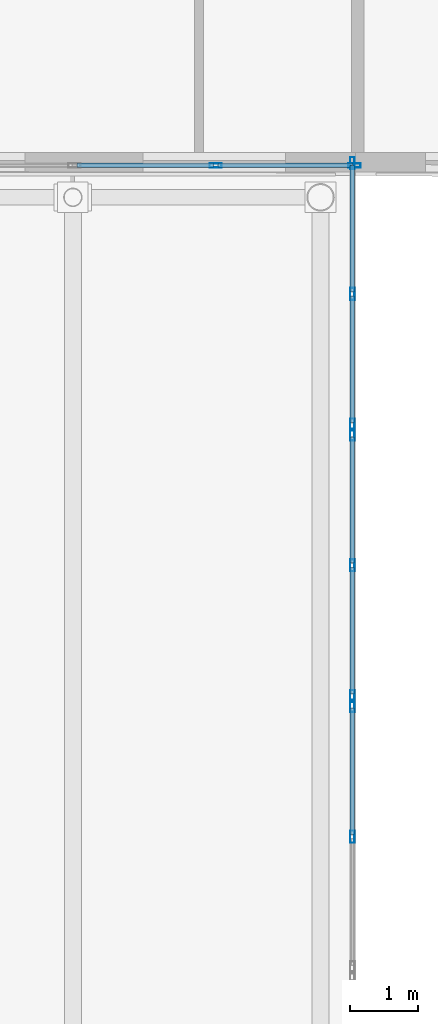
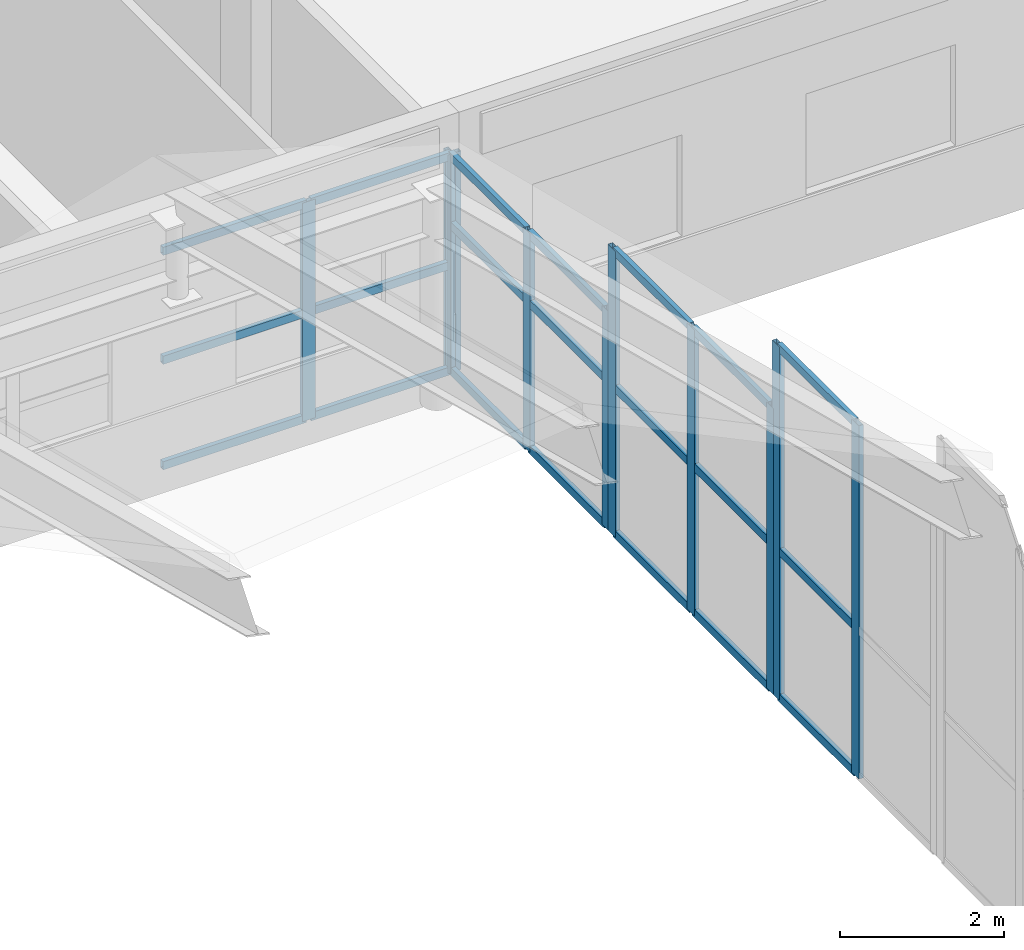
# One storey, part 104 of 184: 31 members, 4 elements without a shape of their own.
"""IFC4 building model written with IfcOpenShell, lengths in metres."""

from ifc_helpers import new_model, si_unit, direction, frame, origin, origin_2d, place, context, subcontext, project, spatial, hollow_rectangle, extrude, material, material_profile, profile_set, type_object, element, aggregate, save


model = new_model("IFC4")

# Units and contexts
model_context = context("Model", 3, precision=1e-05, world=origin(), true_north=direction((0.0, 1.0)))
body_context = subcontext(model_context, "Body", "Model", "MODEL_VIEW")
ifc_project = project(units=[si_unit("LENGTHUNIT", "METRE"), si_unit("AREAUNIT", "SQUARE_METRE"), si_unit("VOLUMEUNIT", "CUBIC_METRE"), si_unit("PLANEANGLEUNIT", "RADIAN"), si_unit("MASSUNIT", "GRAM", prefix="KILO")], contexts=[model_context])

# Site, building, storey
site_placement = place(None, origin())
site = spatial("IfcSite", under=ifc_project, at=site_placement, CompositionType="ELEMENT")
building_placement = place(site_placement, origin())
building = spatial("IfcBuilding", under=site, at=building_placement, Name="Selatvlak General Hospital", CompositionType="ELEMENT")
storey_placement = place(building_placement, frame((0.0, 0.0, 15.0)))
storey = spatial("IfcBuildingStorey", under=building, at=storey_placement, Name="L03", CompositionType="ELEMENT", Elevation=15.0)

# Curtain wall, members
ifc_material_1 = material(Name="Solar-control Low-E double glazing", Category="glass")
curtain_wall_type_1 = type_object("IfcCurtainWallType", Name="CW-CW-04", PredefinedType="USERDEFINED", material=ifc_material_1)
curtain_wall_1_placement = place(storey_placement, origin())
curtain_wall_1 = element("IfcCurtainWall", 1, at=curtain_wall_1_placement, inside=storey, type_object=curtain_wall_type_1, Name="Glazed facade curtain wall CW-L03-0722", ObjectType="STICK GLAZING WALL", PredefinedType="USERDEFINED")
ifc_material_2 = material(Name="Dark anodised aluminium mullion", Category="aluminium")
ifc_material_profile_1 = material_profile(ifc_material_2, hollow_rectangle(XDim=0.06494140625, YDim=0.179931640625, WallThickness=0.00439453125, at=origin_2d()), Name="AL-MUL 65x180x4.5")
ifc_profile_set_1 = profile_set([ifc_material_profile_1], Name="Dark anodised aluminium mullion")
member_type_1 = type_object("IfcMemberType", Name="CWM-02", PredefinedType="MULLION", material=ifc_profile_set_1)
member_1_placement = place(storey_placement, frame((79.5048828125, 83.919921875, 0.0), z_axis=(0.0, 0.0, 1.0), x_axis=(0.0, 1.0, 0.0)))
member_1 = element("IfcMember", 2, at=member_1_placement, type_object=member_type_1, Name="CW-04 mullion 4", PredefinedType="MULLION", context=body_context, shape_type="SweptSolid", body=[
    extrude(hollow_rectangle(XDim=0.06494140625, YDim=0.179931640625, WallThickness=0.00439453125, at=origin_2d()), origin(), (0.0, 0.0, 1.0), 3.25),
])
member_2_placement = place(storey_placement, frame((81.552490234375, 83.919921875, 0.0), z_axis=(0.0, 0.0, 1.0), x_axis=(0.0, 1.0, 0.0)))
member_2 = element("IfcMember", 3, at=member_2_placement, type_object=member_type_1, Name="CW-04 mullion 5", PredefinedType="MULLION", context=body_context, shape_type="SweptSolid", body=[
    extrude(hollow_rectangle(XDim=0.06494140625, YDim=0.179931640625, WallThickness=0.00439453125, at=origin_2d()), origin(), (0.0, 0.0, 1.0), 3.25),
])

curtain_wall_type_2 = type_object("IfcCurtainWallType", Name="CW-CW-05", PredefinedType="USERDEFINED", material=ifc_material_1)
curtain_wall_2_placement = place(storey_placement, origin())
curtain_wall_2 = element("IfcCurtainWall", 4, at=curtain_wall_2_placement, inside=storey, type_object=curtain_wall_type_2, Name="Glazed facade curtain wall CW-L03-0734", ObjectType="STICK GLAZING WALL", PredefinedType="USERDEFINED")
member_3_placement = place(storey_placement, frame((81.52001953125, 74.02490234375, 0.0), z_axis=(0.0, 0.0, 1.0), x_axis=(-1.0, 0.0, 0.0)))
member_3 = element("IfcMember", 5, at=member_3_placement, type_object=member_type_1, Name="CW-05 mullion 2", PredefinedType="MULLION", context=body_context, shape_type="SweptSolid", body=[
    extrude(hollow_rectangle(XDim=0.06494140625, YDim=0.179931640625, WallThickness=0.00439453125, at=origin_2d()), origin(), (0.0, 0.0, 1.0), 5.25),
])
member_4_placement = place(storey_placement, frame((81.52001953125, 75.952392578125, 0.0), z_axis=(0.0, 0.0, 1.0), x_axis=(-1.0, 0.0, 0.0)))
member_4 = element("IfcMember", 6, at=member_4_placement, type_object=member_type_1, Name="CW-05 mullion 3", PredefinedType="MULLION", context=body_context, shape_type="SweptSolid", body=[
    extrude(hollow_rectangle(XDim=0.06494140625, YDim=0.179931640625, WallThickness=0.00439453125, at=origin_2d()), origin(), (0.0, 0.0, 1.0), 5.25),
])

curtain_wall_3_placement = place(storey_placement, origin())
curtain_wall_3 = element("IfcCurtainWall", 7, at=curtain_wall_3_placement, inside=storey, type_object=curtain_wall_type_2, Name="Glazed facade curtain wall CW-L03-0735", ObjectType="STICK GLAZING WALL", PredefinedType="USERDEFINED")
member_5_placement = place(storey_placement, frame((81.52001953125, 76.097412109375, 0.0), z_axis=(0.0, 0.0, 1.0), x_axis=(-1.0, 0.0, 0.0)))
member_5 = element("IfcMember", 8, at=member_5_placement, type_object=member_type_1, Name="CW-05 mullion 1", PredefinedType="MULLION", context=body_context, shape_type="SweptSolid", body=[
    extrude(hollow_rectangle(XDim=0.06494140625, YDim=0.179931640625, WallThickness=0.00439453125, at=origin_2d()), origin(), (0.0, 0.0, 1.0), 4.25),
])
member_6_placement = place(storey_placement, frame((81.52001953125, 78.02490234375, 0.0), z_axis=(0.0, 0.0, 1.0), x_axis=(-1.0, 0.0, 0.0)))
member_6 = element("IfcMember", 9, at=member_6_placement, type_object=member_type_1, Name="CW-05 mullion 2", PredefinedType="MULLION", context=body_context, shape_type="SweptSolid", body=[
    extrude(hollow_rectangle(XDim=0.06494140625, YDim=0.179931640625, WallThickness=0.00439453125, at=origin_2d()), origin(), (0.0, 0.0, 1.0), 4.25),
])
member_7_placement = place(storey_placement, frame((81.52001953125, 79.952392578125, 0.0), z_axis=(0.0, 0.0, 1.0), x_axis=(-1.0, 0.0, 0.0)))
member_7 = element("IfcMember", 10, at=member_7_placement, type_object=member_type_1, Name="CW-05 mullion 3", PredefinedType="MULLION", context=body_context, shape_type="SweptSolid", body=[
    extrude(hollow_rectangle(XDim=0.06494140625, YDim=0.179931640625, WallThickness=0.00439453125, at=origin_2d()), origin(), (0.0, 0.0, 1.0), 4.25),
])

curtain_wall_4_placement = place(storey_placement, origin())
curtain_wall_4 = element("IfcCurtainWall", 11, at=curtain_wall_4_placement, inside=storey, type_object=curtain_wall_type_2, Name="Glazed facade curtain wall CW-L03-0736", ObjectType="STICK GLAZING WALL", PredefinedType="USERDEFINED")
member_8_placement = place(storey_placement, frame((81.52001953125, 80.097412109375, 0.0), z_axis=(0.0, 0.0, 1.0), x_axis=(-1.0, 0.0, 0.0)))
member_8 = element("IfcMember", 12, at=member_8_placement, type_object=member_type_1, Name="CW-05 mullion 1", PredefinedType="MULLION", context=body_context, shape_type="SweptSolid", body=[
    extrude(hollow_rectangle(XDim=0.06494140625, YDim=0.179931640625, WallThickness=0.00439453125, at=origin_2d()), origin(), (0.0, 0.0, 1.0), 3.25),
])
member_9_placement = place(storey_placement, frame((81.52001953125, 82.02490234375, 0.0), z_axis=(0.0, 0.0, 1.0), x_axis=(-1.0, 0.0, 0.0)))
member_9 = element("IfcMember", 13, at=member_9_placement, type_object=member_type_1, Name="CW-05 mullion 2", PredefinedType="MULLION", context=body_context, shape_type="SweptSolid", body=[
    extrude(hollow_rectangle(XDim=0.06494140625, YDim=0.179931640625, WallThickness=0.00439453125, at=origin_2d()), origin(), (0.0, 0.0, 1.0), 3.25),
])
member_10_placement = place(storey_placement, frame((81.52001953125, 83.952392578125, 0.0), z_axis=(0.0, 0.0, 1.0), x_axis=(-1.0, 0.0, 0.0)))
member_10 = element("IfcMember", 14, at=member_10_placement, type_object=member_type_1, Name="CW-05 mullion 3", PredefinedType="MULLION", context=body_context, shape_type="SweptSolid", body=[
    extrude(hollow_rectangle(XDim=0.06494140625, YDim=0.179931640625, WallThickness=0.00439453125, at=origin_2d()), origin(), (0.0, 0.0, 1.0), 3.25),
])

# Member
ifc_material_profile_2 = material_profile(ifc_material_2, hollow_rectangle(XDim=0.06494140625, YDim=0.1201171875, WallThickness=0.00390625, at=origin_2d()), Name="AL-TRN 65x120x4")
ifc_profile_set_2 = profile_set([ifc_material_profile_2], Name="Dark anodised aluminium mullion")
member_type_2 = type_object("IfcMemberType", Name="CWT-01", PredefinedType="USERDEFINED", material=ifc_profile_set_2)
member_11_placement = place(storey_placement, frame((77.45751953125, 83.919921875, 0.032470703125), z_axis=(1.0, 0.0, 0.0), x_axis=(0.0, 1.0, 0.0)))
member_11 = element("IfcMember", 15, at=member_11_placement, type_object=member_type_2, Name="CW-04 transom 3.1", ObjectType="TRANSOM", PredefinedType="USERDEFINED", context=body_context, shape_type="SweptSolid", body=[
    extrude(hollow_rectangle(XDim=0.06494140625, YDim=0.1201171875, WallThickness=0.00390625, at=origin_2d()), origin(), (0.0, 0.0, 1.0), 2.014892578125),
])

member_12_placement = place(storey_placement, frame((77.45751953125, 83.919921875, 1.60009765625), z_axis=(1.0, 0.0, 0.0), x_axis=(0.0, 1.0, 0.0)))
member_12 = element("IfcMember", 16, at=member_12_placement, type_object=member_type_2, Name="CW-04 transom 3.2", ObjectType="TRANSOM", PredefinedType="USERDEFINED", context=body_context, shape_type="SweptSolid", body=[
    extrude(hollow_rectangle(XDim=0.06494140625, YDim=0.1201171875, WallThickness=0.00390625, at=origin_2d()), origin(), (0.0, 0.0, 1.0), 2.014892578125),
])

member_13_placement = place(storey_placement, frame((77.45751953125, 83.919921875, 3.217529296875), z_axis=(1.0, 0.0, 0.0), x_axis=(0.0, 1.0, 0.0)))
member_13 = element("IfcMember", 17, at=member_13_placement, type_object=member_type_2, Name="CW-04 transom 3.3", ObjectType="TRANSOM", PredefinedType="USERDEFINED", context=body_context, shape_type="SweptSolid", body=[
    extrude(hollow_rectangle(XDim=0.06494140625, YDim=0.1201171875, WallThickness=0.00390625, at=origin_2d()), origin(), (0.0, 0.0, 1.0), 2.014892578125),
])

member_14_placement = place(storey_placement, frame((79.53759765625, 83.919921875, 0.032470703125), z_axis=(1.0, 0.0, 0.0), x_axis=(0.0, 1.0, 0.0)))
member_14 = element("IfcMember", 18, at=member_14_placement, type_object=member_type_2, Name="CW-04 transom 4.1", ObjectType="TRANSOM", PredefinedType="USERDEFINED", context=body_context, shape_type="SweptSolid", body=[
    extrude(hollow_rectangle(XDim=0.06494140625, YDim=0.1201171875, WallThickness=0.00390625, at=origin_2d()), origin(), (0.0, 0.0, 1.0), 1.982421875),
])

member_15_placement = place(storey_placement, frame((79.53759765625, 83.919921875, 1.60009765625), z_axis=(1.0, 0.0, 0.0), x_axis=(0.0, 1.0, 0.0)))
member_15 = element("IfcMember", 19, at=member_15_placement, type_object=member_type_2, Name="CW-04 transom 4.2", ObjectType="TRANSOM", PredefinedType="USERDEFINED", context=body_context, shape_type="SweptSolid", body=[
    extrude(hollow_rectangle(XDim=0.06494140625, YDim=0.1201171875, WallThickness=0.00390625, at=origin_2d()), origin(), (0.0, 0.0, 1.0), 1.982421875),
])

member_16_placement = place(storey_placement, frame((79.53759765625, 83.919921875, 3.217529296875), z_axis=(1.0, 0.0, 0.0), x_axis=(0.0, 1.0, 0.0)))
member_16 = element("IfcMember", 20, at=member_16_placement, type_object=member_type_2, Name="CW-04 transom 4.3", ObjectType="TRANSOM", PredefinedType="USERDEFINED", context=body_context, shape_type="SweptSolid", body=[
    extrude(hollow_rectangle(XDim=0.06494140625, YDim=0.1201171875, WallThickness=0.00390625, at=origin_2d()), origin(), (0.0, 0.0, 1.0), 1.982421875),
])

aggregate(curtain_wall_1, [member_1, member_2, member_11, member_12, member_13, member_14, member_15, member_16])

member_17_placement = place(storey_placement, frame((81.52001953125, 74.0576171875, 0.032470703125), z_axis=(0.0, 1.0, 0.0), x_axis=(-1.0, 0.0, 0.0)))
member_17 = element("IfcMember", 21, at=member_17_placement, type_object=member_type_2, Name="CW-05 transom 2.1", ObjectType="TRANSOM", PredefinedType="USERDEFINED", context=body_context, shape_type="SweptSolid", body=[
    extrude(hollow_rectangle(XDim=0.06494140625, YDim=0.1201171875, WallThickness=0.00390625, at=origin_2d()), origin(), (0.0, 0.0, 1.0), 1.8623046875),
])

member_18_placement = place(storey_placement, frame((81.52001953125, 74.0576171875, 2.199951171875), z_axis=(0.0, 1.0, 0.0), x_axis=(-1.0, 0.0, 0.0)))
member_18 = element("IfcMember", 22, at=member_18_placement, type_object=member_type_2, Name="CW-05 transom 2.2", ObjectType="TRANSOM", PredefinedType="USERDEFINED", context=body_context, shape_type="SweptSolid", body=[
    extrude(hollow_rectangle(XDim=0.06494140625, YDim=0.1201171875, WallThickness=0.00390625, at=origin_2d()), origin(), (0.0, 0.0, 1.0), 1.8623046875),
])

member_19_placement = place(storey_placement, frame((81.52001953125, 74.0576171875, 5.217529296875), z_axis=(0.0, 1.0, 0.0), x_axis=(-1.0, 0.0, 0.0)))
member_19 = element("IfcMember", 23, at=member_19_placement, type_object=member_type_2, Name="CW-05 transom 2.3", ObjectType="TRANSOM", PredefinedType="USERDEFINED", context=body_context, shape_type="SweptSolid", body=[
    extrude(hollow_rectangle(XDim=0.06494140625, YDim=0.1201171875, WallThickness=0.00390625, at=origin_2d()), origin(), (0.0, 0.0, 1.0), 1.8623046875),
])

aggregate(curtain_wall_2, [member_3, member_4, member_17, member_18, member_19])

member_20_placement = place(storey_placement, frame((81.52001953125, 76.1298828125, 0.032470703125), z_axis=(0.0, 1.0, 0.0), x_axis=(-1.0, 0.0, 0.0)))
member_20 = element("IfcMember", 24, at=member_20_placement, type_object=member_type_2, Name="CW-05 transom 1.1", ObjectType="TRANSOM", PredefinedType="USERDEFINED", context=body_context, shape_type="SweptSolid", body=[
    extrude(hollow_rectangle(XDim=0.06494140625, YDim=0.1201171875, WallThickness=0.00390625, at=origin_2d()), origin(), (0.0, 0.0, 1.0), 1.862548828125),
])

member_21_placement = place(storey_placement, frame((81.52001953125, 76.1298828125, 2.199951171875), z_axis=(0.0, 1.0, 0.0), x_axis=(-1.0, 0.0, 0.0)))
member_21 = element("IfcMember", 25, at=member_21_placement, type_object=member_type_2, Name="CW-05 transom 1.2", ObjectType="TRANSOM", PredefinedType="USERDEFINED", context=body_context, shape_type="SweptSolid", body=[
    extrude(hollow_rectangle(XDim=0.06494140625, YDim=0.1201171875, WallThickness=0.00390625, at=origin_2d()), origin(), (0.0, 0.0, 1.0), 1.862548828125),
])

member_22_placement = place(storey_placement, frame((81.52001953125, 76.1298828125, 4.217529296875), z_axis=(0.0, 1.0, 0.0), x_axis=(-1.0, 0.0, 0.0)))
member_22 = element("IfcMember", 26, at=member_22_placement, type_object=member_type_2, Name="CW-05 transom 1.3", ObjectType="TRANSOM", PredefinedType="USERDEFINED", context=body_context, shape_type="SweptSolid", body=[
    extrude(hollow_rectangle(XDim=0.06494140625, YDim=0.1201171875, WallThickness=0.00390625, at=origin_2d()), origin(), (0.0, 0.0, 1.0), 1.862548828125),
])

member_23_placement = place(storey_placement, frame((81.52001953125, 78.0576171875, 0.032470703125), z_axis=(0.0, 1.0, 0.0), x_axis=(-1.0, 0.0, 0.0)))
member_23 = element("IfcMember", 27, at=member_23_placement, type_object=member_type_2, Name="CW-05 transom 2.1", ObjectType="TRANSOM", PredefinedType="USERDEFINED", context=body_context, shape_type="SweptSolid", body=[
    extrude(hollow_rectangle(XDim=0.06494140625, YDim=0.1201171875, WallThickness=0.00390625, at=origin_2d()), origin(), (0.0, 0.0, 1.0), 1.8623046875),
])

member_24_placement = place(storey_placement, frame((81.52001953125, 78.0576171875, 2.199951171875), z_axis=(0.0, 1.0, 0.0), x_axis=(-1.0, 0.0, 0.0)))
member_24 = element("IfcMember", 28, at=member_24_placement, type_object=member_type_2, Name="CW-05 transom 2.2", ObjectType="TRANSOM", PredefinedType="USERDEFINED", context=body_context, shape_type="SweptSolid", body=[
    extrude(hollow_rectangle(XDim=0.06494140625, YDim=0.1201171875, WallThickness=0.00390625, at=origin_2d()), origin(), (0.0, 0.0, 1.0), 1.8623046875),
])

member_25_placement = place(storey_placement, frame((81.52001953125, 78.0576171875, 4.217529296875), z_axis=(0.0, 1.0, 0.0), x_axis=(-1.0, 0.0, 0.0)))
member_25 = element("IfcMember", 29, at=member_25_placement, type_object=member_type_2, Name="CW-05 transom 2.3", ObjectType="TRANSOM", PredefinedType="USERDEFINED", context=body_context, shape_type="SweptSolid", body=[
    extrude(hollow_rectangle(XDim=0.06494140625, YDim=0.1201171875, WallThickness=0.00390625, at=origin_2d()), origin(), (0.0, 0.0, 1.0), 1.8623046875),
])

aggregate(curtain_wall_3, [member_5, member_6, member_7, member_20, member_21, member_22, member_23, member_24, member_25])

member_26_placement = place(storey_placement, frame((81.52001953125, 80.1298828125, 0.032470703125), z_axis=(0.0, 1.0, 0.0), x_axis=(-1.0, 0.0, 0.0)))
member_26 = element("IfcMember", 30, at=member_26_placement, type_object=member_type_2, Name="CW-05 transom 1.1", ObjectType="TRANSOM", PredefinedType="USERDEFINED", context=body_context, shape_type="SweptSolid", body=[
    extrude(hollow_rectangle(XDim=0.06494140625, YDim=0.1201171875, WallThickness=0.00390625, at=origin_2d()), origin(), (0.0, 0.0, 1.0), 1.862548828125),
])

member_27_placement = place(storey_placement, frame((81.52001953125, 80.1298828125, 2.199951171875), z_axis=(0.0, 1.0, 0.0), x_axis=(-1.0, 0.0, 0.0)))
member_27 = element("IfcMember", 31, at=member_27_placement, type_object=member_type_2, Name="CW-05 transom 1.2", ObjectType="TRANSOM", PredefinedType="USERDEFINED", context=body_context, shape_type="SweptSolid", body=[
    extrude(hollow_rectangle(XDim=0.06494140625, YDim=0.1201171875, WallThickness=0.00390625, at=origin_2d()), origin(), (0.0, 0.0, 1.0), 1.862548828125),
])

member_28_placement = place(storey_placement, frame((81.52001953125, 80.1298828125, 3.217529296875), z_axis=(0.0, 1.0, 0.0), x_axis=(-1.0, 0.0, 0.0)))
member_28 = element("IfcMember", 32, at=member_28_placement, type_object=member_type_2, Name="CW-05 transom 1.3", ObjectType="TRANSOM", PredefinedType="USERDEFINED", context=body_context, shape_type="SweptSolid", body=[
    extrude(hollow_rectangle(XDim=0.06494140625, YDim=0.1201171875, WallThickness=0.00390625, at=origin_2d()), origin(), (0.0, 0.0, 1.0), 1.862548828125),
])

member_29_placement = place(storey_placement, frame((81.52001953125, 82.0576171875, 0.032470703125), z_axis=(0.0, 1.0, 0.0), x_axis=(-1.0, 0.0, 0.0)))
member_29 = element("IfcMember", 33, at=member_29_placement, type_object=member_type_2, Name="CW-05 transom 2.1", ObjectType="TRANSOM", PredefinedType="USERDEFINED", context=body_context, shape_type="SweptSolid", body=[
    extrude(hollow_rectangle(XDim=0.06494140625, YDim=0.1201171875, WallThickness=0.00390625, at=origin_2d()), origin(), (0.0, 0.0, 1.0), 1.8623046875),
])

member_30_placement = place(storey_placement, frame((81.52001953125, 82.0576171875, 2.199951171875), z_axis=(0.0, 1.0, 0.0), x_axis=(-1.0, 0.0, 0.0)))
member_30 = element("IfcMember", 34, at=member_30_placement, type_object=member_type_2, Name="CW-05 transom 2.2", ObjectType="TRANSOM", PredefinedType="USERDEFINED", context=body_context, shape_type="SweptSolid", body=[
    extrude(hollow_rectangle(XDim=0.06494140625, YDim=0.1201171875, WallThickness=0.00390625, at=origin_2d()), origin(), (0.0, 0.0, 1.0), 1.8623046875),
])

member_31_placement = place(storey_placement, frame((81.52001953125, 82.0576171875, 3.217529296875), z_axis=(0.0, 1.0, 0.0), x_axis=(-1.0, 0.0, 0.0)))
member_31 = element("IfcMember", 35, at=member_31_placement, type_object=member_type_2, Name="CW-05 transom 2.3", ObjectType="TRANSOM", PredefinedType="USERDEFINED", context=body_context, shape_type="SweptSolid", body=[
    extrude(hollow_rectangle(XDim=0.06494140625, YDim=0.1201171875, WallThickness=0.00390625, at=origin_2d()), origin(), (0.0, 0.0, 1.0), 1.8623046875),
])

aggregate(curtain_wall_4, [member_8, member_9, member_10, member_26, member_27, member_28, member_29, member_30, member_31])

save(model, "model.ifc")
